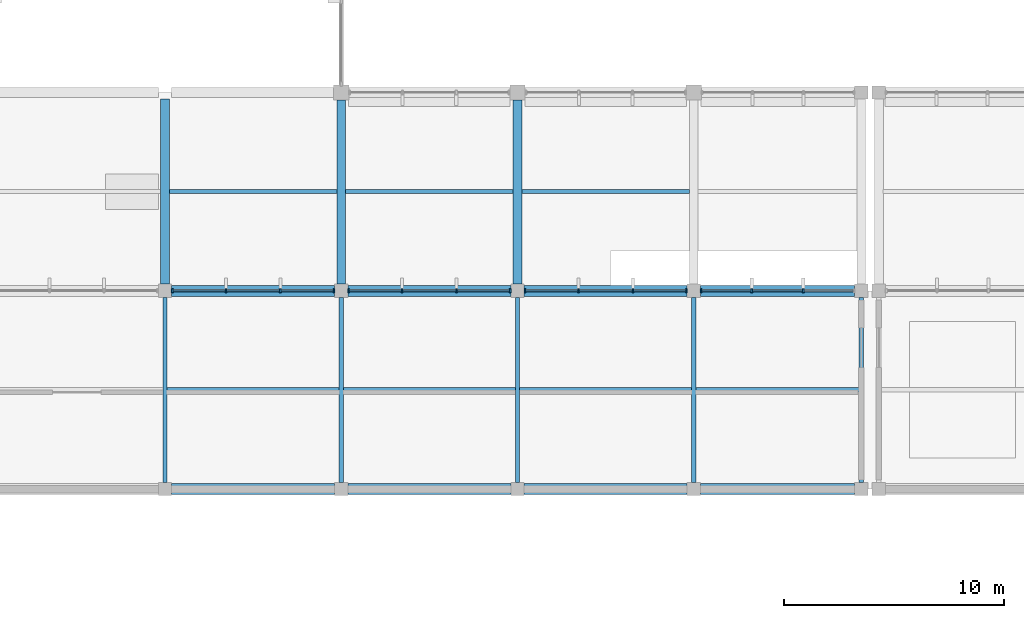
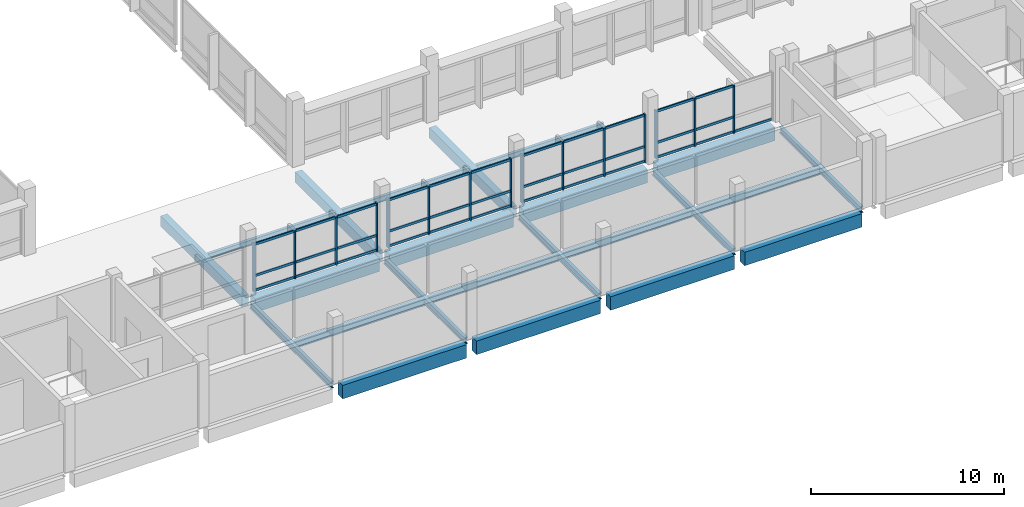
# One storey, part 12 of 70: 49 members, 23 beams, 4 elements without a shape of their own.
"""IFC4 building model written with IfcOpenShell, lengths in metres."""

from ifc_helpers import new_model, si_unit, direction, frame, origin, origin_2d, place, context, subcontext, project, spatial, rectangle, i_section, extrude, material, material_profile, profile_set, type_object, element, aggregate, save


model = new_model("IFC4")

# Units and contexts
model_context = context("Model", 3, precision=1e-05, world=origin(), true_north=direction((0.0, 1.0)))
body_context = subcontext(model_context, "Body", "Model", "MODEL_VIEW")
ifc_project = project(units=[si_unit("LENGTHUNIT", "METRE"), si_unit("AREAUNIT", "SQUARE_METRE"), si_unit("VOLUMEUNIT", "CUBIC_METRE"), si_unit("PLANEANGLEUNIT", "RADIAN"), si_unit("MASSUNIT", "GRAM", prefix="KILO"), si_unit("THERMODYNAMICTEMPERATUREUNIT", "KELVIN"), si_unit("POWERUNIT", "WATT")], contexts=[model_context])

# Site, building, storey
site_placement = place(None, origin())
site = spatial("IfcSite", under=ifc_project, at=site_placement, CompositionType="ELEMENT")
building_placement = place(site_placement, origin())
building = spatial("IfcBuilding", under=site, at=building_placement, Name="Kronsvod Quay Wholesale Market", CompositionType="ELEMENT")
storey_placement = place(building_placement, frame((0.0, 0.0, 9.0)))
storey = spatial("IfcBuildingStorey", under=building, at=storey_placement, Name="L02", CompositionType="ELEMENT", Elevation=9.0)

# Beams
ifc_material_1 = material(Name="Precast concrete C40/50", Category="concrete")
ifc_material_profile_1 = material_profile(ifc_material_1, rectangle(XDim=0.39990234375, YDim=0.64990234375, at=origin_2d()), Name="PCB400x650")
ifc_profile_set_1 = profile_set([ifc_material_profile_1], Name="Precast concrete C40/50")
beam_type_1 = type_object("IfcBeamType", Name="Beam_PCB400x650", PredefinedType="BEAM", material=ifc_profile_set_1)
beam_1_placement = place(storey_placement, frame((96.0, 45.300048828125, -0.635009765625), z_axis=(0.0, 1.0, 0.0), x_axis=(-1.0, 0.0, 0.0)))
element("IfcBeam", 1, at=beam_1_placement, inside=storey, type_object=beam_type_1, Name="BMY-L02-960-450", PredefinedType="BEAM", context=body_context, shape_type="SweptSolid", body=[
    extrude(rectangle(XDim=0.39990234375, YDim=0.64990234375, at=origin_2d()), origin(), (0.0, 0.0, 1.0), 8.39990234375),
])
for number, where, z_axis, x_axis, name in (
    (2, (104.0, 45.300048828125, -0.635009765625), (0.0, 1.0, 0.0), (-1.0, 0.0, 0.0), "BMY-L02-1040-450"),
    (3, (112.0, 45.300048828125, -0.635009765625), (0.0, 1.0, 0.0), (-1.0, 0.0, 0.0), "BMY-L02-1120-450"),
):
    element("IfcBeam", number, at=place(storey_placement, frame(where, z_axis=z_axis, x_axis=x_axis)), inside=storey, type_object=beam_type_1, Name=name, PredefinedType="BEAM", context=body_context, shape_type="SweptSolid", body=[
        extrude(rectangle(XDim=0.39990234375, YDim=0.64990234375, at=origin_2d()), origin(), (0.0, 0.0, 1.0), 8.349853515625),
    ])
ifc_material_2 = material(Name="Steel S355", Category="steel")
ifc_material_profile_2 = material_profile(ifc_material_2, i_section(OverallWidth=0.199951171875, OverallDepth=0.39990234375, WebThickness=0.008056640625, FlangeThickness=0.012939453125, FilletRadius=0.01611328125, at=origin_2d()), Name="40B2")
ifc_profile_set_2 = profile_set([ifc_material_profile_2], Name="Steel S355")
beam_type_2 = type_object("IfcBeamType", Name="Beam_Steel40B2", PredefinedType="BEAM", material=ifc_profile_set_2)
for number, where, z_axis, x_axis, name in (
    (4, (96.0, 36.300048828125, -0.510009765625), (0.0, 1.0, 0.0), (-1.0, 0.0, 0.0), "BMY-L02-960-360"),
    (5, (104.0, 36.300048828125, -0.510009765625), (0.0, 1.0, 0.0), (-1.0, 0.0, 0.0), "BMY-L02-1040-360"),
    (6, (112.0, 36.300048828125, -0.510009765625), (0.0, 1.0, 0.0), (-1.0, 0.0, 0.0), "BMY-L02-1120-360"),
    (7, (120.0, 36.300048828125, -0.510009765625), (0.0, 1.0, 0.0), (-1.0, 0.0, 0.0), "BMY-L02-1200-360"),
    (8, (127.60009765625, 36.300048828125, -0.510009765625), (0.0, 1.0, 0.0), (-1.0, 0.0, 0.0), "BMY-L02-1276-360"),
):
    element("IfcBeam", number, at=place(storey_placement, frame(where, z_axis=z_axis, x_axis=x_axis)), inside=storey, type_object=beam_type_2, Name=name, PredefinedType="BEAM", context=body_context, shape_type="SweptSolid", body=[
        extrude(i_section(OverallWidth=0.199951171875, OverallDepth=0.39990234375, WebThickness=0.008056640625, FlangeThickness=0.012939453125, FilletRadius=0.01611328125, at=origin_2d()), origin(), (0.0, 0.0, 1.0), 8.39990234375),
    ])
ifc_material_3 = material(Name="Steel S355", Category="steel")
ifc_material_profile_3 = material_profile(ifc_material_3, i_section(OverallWidth=0.199951171875, OverallDepth=0.449951171875, WebThickness=0.009033203125, FlangeThickness=0.013916015625, FilletRadius=0.01806640625, at=origin_2d()), Name="45B2")
ifc_profile_set_3 = profile_set([ifc_material_profile_3], Name="Steel S355")
beam_type_3 = type_object("IfcBeamType", Name="Beam_Steel45B2", PredefinedType="BEAM", material=ifc_profile_set_3)
for number, where, z_axis, x_axis, name in (
    (9, (96.094970703125, 40.5, -0.52490234375), (1.0, 0.0, 0.0), (0.0, 1.0, 0.0), "JSTX-L02-960-360"),
    (10, (104.094970703125, 40.5, -0.52490234375), (1.0, 0.0, 0.0), (0.0, 1.0, 0.0), "JSTX-L02-1040-360"),
    (11, (112.094970703125, 40.5, -0.52490234375), (1.0, 0.0, 0.0), (0.0, 1.0, 0.0), "JSTX-L02-1120-360"),
):
    element("IfcBeam", number, at=place(storey_placement, frame(where, z_axis=z_axis, x_axis=x_axis)), inside=storey, type_object=beam_type_3, Name=name, PredefinedType="BEAM", context=body_context, shape_type="SweptSolid", body=[
        extrude(i_section(OverallWidth=0.199951171875, OverallDepth=0.449951171875, WebThickness=0.009033203125, FlangeThickness=0.013916015625, FilletRadius=0.01806640625, at=origin_2d()), origin(), (0.0, 0.0, 1.0), 7.81005859375),
    ])
beam_2_placement = place(storey_placement, frame((120.094970703125, 40.5, -0.52490234375), z_axis=(1.0, 0.0, 0.0), x_axis=(0.0, 1.0, 0.0)))
element("IfcBeam", 12, at=beam_2_placement, inside=storey, type_object=beam_type_3, Name="JSTX-L02-1200-360", PredefinedType="BEAM", context=body_context, shape_type="SweptSolid", body=[
    extrude(i_section(OverallWidth=0.199951171875, OverallDepth=0.449951171875, WebThickness=0.009033203125, FlangeThickness=0.013916015625, FilletRadius=0.01806640625, at=origin_2d()), origin(), (0.0, 0.0, 1.0), 7.409912109375),
])
ifc_material_4 = material(Name="Precast concrete C40/50", Category="concrete")
ifc_material_profile_4 = material_profile(ifc_material_4, rectangle(XDim=0.5, YDim=0.85009765625, at=origin_2d()), Name="PCB500x850")
ifc_profile_set_4 = profile_set([ifc_material_profile_4], Name="Precast concrete C40/50")
beam_type_4 = type_object("IfcBeamType", Name="Girder_PCB500x850", PredefinedType="T_BEAM", material=ifc_profile_set_4)
for number, where, z_axis, x_axis, name in (
    (13, (96.300048828125, 36.0, -0.735107421875), (1.0, 0.0, 0.0), (0.0, 1.0, 0.0), "BMX-L02-960-360"),
    (14, (104.300048828125, 36.0, -0.735107421875), (1.0, 0.0, 0.0), (0.0, 1.0, 0.0), "BMX-L02-1040-360"),
    (15, (112.300048828125, 36.0, -0.735107421875), (1.0, 0.0, 0.0), (0.0, 1.0, 0.0), "BMX-L02-1120-360"),
):
    element("IfcBeam", number, at=place(storey_placement, frame(where, z_axis=z_axis, x_axis=x_axis)), inside=storey, type_object=beam_type_4, Name=name, PredefinedType="T_BEAM", context=body_context, shape_type="SweptSolid", body=[
        extrude(rectangle(XDim=0.5, YDim=0.85009765625, at=origin_2d()), origin(), (0.0, 0.0, 1.0), 7.39990234375),
    ])
beam_3_placement = place(storey_placement, frame((120.300048828125, 36.0, -0.735107421875), z_axis=(1.0, 0.0, 0.0), x_axis=(0.0, 1.0, 0.0)))
element("IfcBeam", 16, at=beam_3_placement, inside=storey, type_object=beam_type_4, Name="BMX-L02-1200-360", PredefinedType="T_BEAM", context=body_context, shape_type="SweptSolid", body=[
    extrude(rectangle(XDim=0.5, YDim=0.85009765625, at=origin_2d()), origin(), (0.0, 0.0, 1.0), 7.0),
])
for number, where, z_axis, x_axis, name in (
    (17, (96.300048828125, 45.0, -0.735107421875), (1.0, 0.0, 0.0), (0.0, 1.0, 0.0), "BMX-L02-960-450"),
    (18, (104.300048828125, 45.0, -0.735107421875), (1.0, 0.0, 0.0), (0.0, 1.0, 0.0), "BMX-L02-1040-450"),
    (19, (112.300048828125, 45.0, -0.735107421875), (1.0, 0.0, 0.0), (0.0, 1.0, 0.0), "BMX-L02-1120-450"),
):
    element("IfcBeam", number, at=place(storey_placement, frame(where, z_axis=z_axis, x_axis=x_axis)), inside=storey, type_object=beam_type_4, Name=name, PredefinedType="T_BEAM", context=body_context, shape_type="SweptSolid", body=[
        extrude(rectangle(XDim=0.5, YDim=0.85009765625, at=origin_2d()), origin(), (0.0, 0.0, 1.0), 7.39990234375),
    ])
beam_4_placement = place(storey_placement, frame((120.300048828125, 45.0, -0.735107421875), z_axis=(1.0, 0.0, 0.0), x_axis=(0.0, 1.0, 0.0)))
element("IfcBeam", 20, at=beam_4_placement, inside=storey, type_object=beam_type_4, Name="BMX-L02-1200-450", PredefinedType="T_BEAM", context=body_context, shape_type="SweptSolid", body=[
    extrude(rectangle(XDim=0.5, YDim=0.85009765625, at=origin_2d()), origin(), (0.0, 0.0, 1.0), 7.0),
])
ifc_material_5 = material(Name="Steel S355", Category="steel")
ifc_material_profile_5 = material_profile(ifc_material_5, i_section(OverallWidth=0.174072265625, OverallDepth=0.345947265625, WebThickness=0.006103515625, FlangeThickness=0.009033203125, FilletRadius=0.013916015625, at=origin_2d()), Name="35B1")
ifc_profile_set_5 = profile_set([ifc_material_profile_5], Name="Steel S355")
beam_type_5 = type_object("IfcBeamType", Name="Joist_Steel35B1", PredefinedType="JOIST", material=ifc_profile_set_5)
for number, where, z_axis, x_axis, name in (
    (21, (96.195068359375, 49.5, -0.43310546875), (1.0, 0.0, 0.0), (0.0, 1.0, 0.0), "JSTX-L02-960-450"),
    (22, (104.195068359375, 49.5, -0.43310546875), (1.0, 0.0, 0.0), (0.0, 1.0, 0.0), "JSTX-L02-1040-450"),
    (23, (112.195068359375, 49.5, -0.43310546875), (1.0, 0.0, 0.0), (0.0, 1.0, 0.0), "JSTX-L02-1120-450"),
):
    element("IfcBeam", number, at=place(storey_placement, frame(where, z_axis=z_axis, x_axis=x_axis)), inside=storey, type_object=beam_type_5, Name=name, PredefinedType="JOIST", context=body_context, shape_type="SweptSolid", body=[
        extrude(i_section(OverallWidth=0.174072265625, OverallDepth=0.345947265625, WebThickness=0.006103515625, FlangeThickness=0.009033203125, FilletRadius=0.013916015625, at=origin_2d()), origin(), (0.0, 0.0, 1.0), 7.60986328125),
    ])

# Curtain wall, members
ifc_material_6 = material(Name="Thermally broken aluminium and triple low-E glazing", Category="aluminium")
curtain_wall_type_1 = type_object("IfcCurtainWallType", Name="CW_Harbour80x33", PredefinedType="NOTDEFINED", material=ifc_material_6)
curtain_wall_1_placement = place(storey_placement, origin())
curtain_wall_1 = element("IfcCurtainWall", 24, at=curtain_wall_1_placement, inside=storey, type_object=curtain_wall_type_1, Name="CWGX-L02-960-450", PredefinedType="NOTDEFINED")
ifc_material_7 = material(Name="Anodised aluminium", Category="aluminium")
ifc_material_profile_6 = material_profile(ifc_material_7, rectangle(XDim=0.074951171875, YDim=0.199951171875, at=origin_2d()), Name="ALUM75x200")
ifc_profile_set_6 = profile_set([ifc_material_profile_6], Name="Anodised aluminium")
member_type_1 = type_object("IfcMemberType", Name="Mullion_ALU75x200", PredefinedType="MULLION", material=ifc_profile_set_6)
member_1_placement = place(storey_placement, frame((103.66748046875, 45.0, 0.0), z_axis=(0.0, 0.0, 1.0), x_axis=(1.0, 0.0, 0.0)))
member_1 = element("IfcMember", 25, at=member_1_placement, type_object=member_type_1, Name="CWGX-L02-960-450-M1", PredefinedType="MULLION", context=body_context, shape_type="SweptSolid", body=[
    extrude(rectangle(XDim=0.074951171875, YDim=0.199951171875, at=origin_2d()), origin(), (0.0, 0.0, 1.0), 3.050048828125),
])
member_2_placement = place(storey_placement, frame((101.235107421875, 45.0, 0.0), z_axis=(0.0, 0.0, 1.0), x_axis=(1.0, 0.0, 0.0)))
member_2 = element("IfcMember", 26, at=member_2_placement, type_object=member_type_1, Name="CWGX-L02-960-450-M2", PredefinedType="MULLION", context=body_context, shape_type="SweptSolid", body=[
    extrude(rectangle(XDim=0.074951171875, YDim=0.199951171875, at=origin_2d()), origin(), (0.0, 0.0, 1.0), 3.050048828125),
])
member_3_placement = place(storey_placement, frame((98.764892578125, 45.0, 0.0), z_axis=(0.0, 0.0, 1.0), x_axis=(1.0, 0.0, 0.0)))
member_3 = element("IfcMember", 27, at=member_3_placement, type_object=member_type_1, Name="CWGX-L02-960-450-M3", PredefinedType="MULLION", context=body_context, shape_type="SweptSolid", body=[
    extrude(rectangle(XDim=0.074951171875, YDim=0.199951171875, at=origin_2d()), origin(), (0.0, 0.0, 1.0), 3.050048828125),
])
member_4_placement = place(storey_placement, frame((96.33251953125, 45.0, 0.0), z_axis=(0.0, 0.0, 1.0), x_axis=(1.0, 0.0, 0.0)))
member_4 = element("IfcMember", 28, at=member_4_placement, type_object=member_type_1, Name="CWGX-L02-960-450-M4", PredefinedType="MULLION", context=body_context, shape_type="SweptSolid", body=[
    extrude(rectangle(XDim=0.074951171875, YDim=0.199951171875, at=origin_2d()), origin(), (0.0, 0.0, 1.0), 3.050048828125),
])

curtain_wall_2_placement = place(storey_placement, origin())
curtain_wall_2 = element("IfcCurtainWall", 29, at=curtain_wall_2_placement, inside=storey, type_object=curtain_wall_type_1, Name="CWGX-L02-1040-450", PredefinedType="NOTDEFINED")
member_5_placement = place(storey_placement, frame((111.66748046875, 45.0, 0.0), z_axis=(0.0, 0.0, 1.0), x_axis=(1.0, 0.0, 0.0)))
member_5 = element("IfcMember", 30, at=member_5_placement, type_object=member_type_1, Name="CWGX-L02-1040-450-M1", PredefinedType="MULLION", context=body_context, shape_type="SweptSolid", body=[
    extrude(rectangle(XDim=0.074951171875, YDim=0.199951171875, at=origin_2d()), origin(), (0.0, 0.0, 1.0), 3.050048828125),
])
member_6_placement = place(storey_placement, frame((109.235107421875, 45.0, 0.0), z_axis=(0.0, 0.0, 1.0), x_axis=(1.0, 0.0, 0.0)))
member_6 = element("IfcMember", 31, at=member_6_placement, type_object=member_type_1, Name="CWGX-L02-1040-450-M2", PredefinedType="MULLION", context=body_context, shape_type="SweptSolid", body=[
    extrude(rectangle(XDim=0.074951171875, YDim=0.199951171875, at=origin_2d()), origin(), (0.0, 0.0, 1.0), 3.050048828125),
])
member_7_placement = place(storey_placement, frame((106.764892578125, 45.0, 0.0), z_axis=(0.0, 0.0, 1.0), x_axis=(1.0, 0.0, 0.0)))
member_7 = element("IfcMember", 32, at=member_7_placement, type_object=member_type_1, Name="CWGX-L02-1040-450-M3", PredefinedType="MULLION", context=body_context, shape_type="SweptSolid", body=[
    extrude(rectangle(XDim=0.074951171875, YDim=0.199951171875, at=origin_2d()), origin(), (0.0, 0.0, 1.0), 3.050048828125),
])
member_8_placement = place(storey_placement, frame((104.33251953125, 45.0, 0.0), z_axis=(0.0, 0.0, 1.0), x_axis=(1.0, 0.0, 0.0)))
member_8 = element("IfcMember", 33, at=member_8_placement, type_object=member_type_1, Name="CWGX-L02-1040-450-M4", PredefinedType="MULLION", context=body_context, shape_type="SweptSolid", body=[
    extrude(rectangle(XDim=0.074951171875, YDim=0.199951171875, at=origin_2d()), origin(), (0.0, 0.0, 1.0), 3.050048828125),
])

curtain_wall_3_placement = place(storey_placement, origin())
curtain_wall_3 = element("IfcCurtainWall", 34, at=curtain_wall_3_placement, inside=storey, type_object=curtain_wall_type_1, Name="CWGX-L02-1120-450", PredefinedType="NOTDEFINED")
member_9_placement = place(storey_placement, frame((119.66748046875, 45.0, 0.0), z_axis=(0.0, 0.0, 1.0), x_axis=(1.0, 0.0, 0.0)))
member_9 = element("IfcMember", 35, at=member_9_placement, type_object=member_type_1, Name="CWGX-L02-1120-450-M1", PredefinedType="MULLION", context=body_context, shape_type="SweptSolid", body=[
    extrude(rectangle(XDim=0.074951171875, YDim=0.199951171875, at=origin_2d()), origin(), (0.0, 0.0, 1.0), 3.050048828125),
])
member_10_placement = place(storey_placement, frame((117.235107421875, 45.0, 0.0), z_axis=(0.0, 0.0, 1.0), x_axis=(1.0, 0.0, 0.0)))
member_10 = element("IfcMember", 36, at=member_10_placement, type_object=member_type_1, Name="CWGX-L02-1120-450-M2", PredefinedType="MULLION", context=body_context, shape_type="SweptSolid", body=[
    extrude(rectangle(XDim=0.074951171875, YDim=0.199951171875, at=origin_2d()), origin(), (0.0, 0.0, 1.0), 3.050048828125),
])
member_11_placement = place(storey_placement, frame((114.764892578125, 45.0, 0.0), z_axis=(0.0, 0.0, 1.0), x_axis=(1.0, 0.0, 0.0)))
member_11 = element("IfcMember", 37, at=member_11_placement, type_object=member_type_1, Name="CWGX-L02-1120-450-M3", PredefinedType="MULLION", context=body_context, shape_type="SweptSolid", body=[
    extrude(rectangle(XDim=0.074951171875, YDim=0.199951171875, at=origin_2d()), origin(), (0.0, 0.0, 1.0), 3.050048828125),
])
member_12_placement = place(storey_placement, frame((112.33251953125, 45.0, 0.0), z_axis=(0.0, 0.0, 1.0), x_axis=(1.0, 0.0, 0.0)))
member_12 = element("IfcMember", 38, at=member_12_placement, type_object=member_type_1, Name="CWGX-L02-1120-450-M4", PredefinedType="MULLION", context=body_context, shape_type="SweptSolid", body=[
    extrude(rectangle(XDim=0.074951171875, YDim=0.199951171875, at=origin_2d()), origin(), (0.0, 0.0, 1.0), 3.050048828125),
])

ifc_material_8 = material(Name="Thermally broken aluminium and triple low-E glazing", Category="aluminium")
curtain_wall_type_2 = type_object("IfcCurtainWallType", Name="CW_Harbour76x33", PredefinedType="NOTDEFINED", material=ifc_material_8)
curtain_wall_4_placement = place(storey_placement, origin())
curtain_wall_4 = element("IfcCurtainWall", 39, at=curtain_wall_4_placement, inside=storey, type_object=curtain_wall_type_2, Name="CWGX-L02-1200-450", PredefinedType="NOTDEFINED")
member_13_placement = place(storey_placement, frame((124.96826171875, 45.0, 0.0), z_axis=(0.0, 0.0, 1.0), x_axis=(1.0, 0.0, 0.0)))
member_13 = element("IfcMember", 40, at=member_13_placement, type_object=member_type_1, Name="CWGX-L02-1200-450-M2", PredefinedType="MULLION", context=body_context, shape_type="SweptSolid", body=[
    extrude(rectangle(XDim=0.074951171875, YDim=0.199951171875, at=origin_2d()), origin(), (0.0, 0.0, 1.0), 3.050048828125),
])
member_14_placement = place(storey_placement, frame((122.631591796875, 45.0, 0.0), z_axis=(0.0, 0.0, 1.0), x_axis=(1.0, 0.0, 0.0)))
member_14 = element("IfcMember", 41, at=member_14_placement, type_object=member_type_1, Name="CWGX-L02-1200-450-M3", PredefinedType="MULLION", context=body_context, shape_type="SweptSolid", body=[
    extrude(rectangle(XDim=0.074951171875, YDim=0.199951171875, at=origin_2d()), origin(), (0.0, 0.0, 1.0), 3.050048828125),
])
member_15_placement = place(storey_placement, frame((120.33251953125, 45.0, 0.0), z_axis=(0.0, 0.0, 1.0), x_axis=(1.0, 0.0, 0.0)))
member_15 = element("IfcMember", 42, at=member_15_placement, type_object=member_type_1, Name="CWGX-L02-1200-450-M4", PredefinedType="MULLION", context=body_context, shape_type="SweptSolid", body=[
    extrude(rectangle(XDim=0.074951171875, YDim=0.199951171875, at=origin_2d()), origin(), (0.0, 0.0, 1.0), 3.050048828125),
])

# Member
ifc_material_9 = material(Name="Anodised aluminium", Category="aluminium")
ifc_material_profile_7 = material_profile(ifc_material_9, rectangle(XDim=0.074951171875, YDim=0.14990234375, at=origin_2d()), Name="ALUT75x150")
ifc_profile_set_7 = profile_set([ifc_material_profile_7], Name="Anodised aluminium")
member_type_2 = type_object("IfcMemberType", Name="Transom_ALU75x150", PredefinedType="USERDEFINED", material=ifc_profile_set_7)
member_16_placement = place(storey_placement, frame((103.6298828125, 45.0, 0.074951171875), z_axis=(-1.0, 0.0, 0.0), x_axis=(0.0, -1.0, 0.0)))
member_16 = element("IfcMember", 43, at=member_16_placement, type_object=member_type_2, Name="CWGX-L02-960-450-T1B1", ObjectType="TRANSOM", PredefinedType="USERDEFINED", context=body_context, shape_type="SweptSolid", body=[
    extrude(rectangle(XDim=0.074951171875, YDim=0.14990234375, at=origin_2d()), origin(), (0.0, 0.0, 1.0), 2.357421875),
])

member_17_placement = place(storey_placement, frame((101.197509765625, 45.0, 0.074951171875), z_axis=(-1.0, 0.0, 0.0), x_axis=(0.0, -1.0, 0.0)))
member_17 = element("IfcMember", 44, at=member_17_placement, type_object=member_type_2, Name="CWGX-L02-960-450-T1B2", ObjectType="TRANSOM", PredefinedType="USERDEFINED", context=body_context, shape_type="SweptSolid", body=[
    extrude(rectangle(XDim=0.074951171875, YDim=0.14990234375, at=origin_2d()), origin(), (0.0, 0.0, 1.0), 2.39501953125),
])

member_18_placement = place(storey_placement, frame((98.7275390625, 45.0, 0.074951171875), z_axis=(-1.0, 0.0, 0.0), x_axis=(0.0, -1.0, 0.0)))
member_18 = element("IfcMember", 45, at=member_18_placement, type_object=member_type_2, Name="CWGX-L02-960-450-T1B3", ObjectType="TRANSOM", PredefinedType="USERDEFINED", context=body_context, shape_type="SweptSolid", body=[
    extrude(rectangle(XDim=0.074951171875, YDim=0.14990234375, at=origin_2d()), origin(), (0.0, 0.0, 1.0), 2.357421875),
])

member_19_placement = place(storey_placement, frame((103.6298828125, 45.0, 1.0), z_axis=(-1.0, 0.0, 0.0), x_axis=(0.0, -1.0, 0.0)))
member_19 = element("IfcMember", 46, at=member_19_placement, type_object=member_type_2, Name="CWGX-L02-960-450-T2B1", ObjectType="TRANSOM", PredefinedType="USERDEFINED", context=body_context, shape_type="SweptSolid", body=[
    extrude(rectangle(XDim=0.074951171875, YDim=0.14990234375, at=origin_2d()), origin(), (0.0, 0.0, 1.0), 2.357421875),
])

member_20_placement = place(storey_placement, frame((101.197509765625, 45.0, 1.0), z_axis=(-1.0, 0.0, 0.0), x_axis=(0.0, -1.0, 0.0)))
member_20 = element("IfcMember", 47, at=member_20_placement, type_object=member_type_2, Name="CWGX-L02-960-450-T2B2", ObjectType="TRANSOM", PredefinedType="USERDEFINED", context=body_context, shape_type="SweptSolid", body=[
    extrude(rectangle(XDim=0.074951171875, YDim=0.14990234375, at=origin_2d()), origin(), (0.0, 0.0, 1.0), 2.39501953125),
])

member_21_placement = place(storey_placement, frame((98.7275390625, 45.0, 1.0), z_axis=(-1.0, 0.0, 0.0), x_axis=(0.0, -1.0, 0.0)))
member_21 = element("IfcMember", 48, at=member_21_placement, type_object=member_type_2, Name="CWGX-L02-960-450-T2B3", ObjectType="TRANSOM", PredefinedType="USERDEFINED", context=body_context, shape_type="SweptSolid", body=[
    extrude(rectangle(XDim=0.074951171875, YDim=0.14990234375, at=origin_2d()), origin(), (0.0, 0.0, 1.0), 2.357421875),
])

member_22_placement = place(storey_placement, frame((103.6298828125, 45.0, 2.97509765625), z_axis=(-1.0, 0.0, 0.0), x_axis=(0.0, -1.0, 0.0)))
member_22 = element("IfcMember", 49, at=member_22_placement, type_object=member_type_2, Name="CWGX-L02-960-450-T3B1", ObjectType="TRANSOM", PredefinedType="USERDEFINED", context=body_context, shape_type="SweptSolid", body=[
    extrude(rectangle(XDim=0.074951171875, YDim=0.14990234375, at=origin_2d()), origin(), (0.0, 0.0, 1.0), 2.357421875),
])

member_23_placement = place(storey_placement, frame((101.197509765625, 45.0, 2.97509765625), z_axis=(-1.0, 0.0, 0.0), x_axis=(0.0, -1.0, 0.0)))
member_23 = element("IfcMember", 50, at=member_23_placement, type_object=member_type_2, Name="CWGX-L02-960-450-T3B2", ObjectType="TRANSOM", PredefinedType="USERDEFINED", context=body_context, shape_type="SweptSolid", body=[
    extrude(rectangle(XDim=0.074951171875, YDim=0.14990234375, at=origin_2d()), origin(), (0.0, 0.0, 1.0), 2.39501953125),
])

member_24_placement = place(storey_placement, frame((98.7275390625, 45.0, 2.97509765625), z_axis=(-1.0, 0.0, 0.0), x_axis=(0.0, -1.0, 0.0)))
member_24 = element("IfcMember", 51, at=member_24_placement, type_object=member_type_2, Name="CWGX-L02-960-450-T3B3", ObjectType="TRANSOM", PredefinedType="USERDEFINED", context=body_context, shape_type="SweptSolid", body=[
    extrude(rectangle(XDim=0.074951171875, YDim=0.14990234375, at=origin_2d()), origin(), (0.0, 0.0, 1.0), 2.357421875),
])

aggregate(curtain_wall_1, [member_1, member_2, member_3, member_4, member_16, member_17, member_18, member_19, member_20, member_21, member_22, member_23, member_24])

member_25_placement = place(storey_placement, frame((111.6298828125, 45.0, 0.074951171875), z_axis=(-1.0, 0.0, 0.0), x_axis=(0.0, -1.0, 0.0)))
member_25 = element("IfcMember", 52, at=member_25_placement, type_object=member_type_2, Name="CWGX-L02-1040-450-T1B1", ObjectType="TRANSOM", PredefinedType="USERDEFINED", context=body_context, shape_type="SweptSolid", body=[
    extrude(rectangle(XDim=0.074951171875, YDim=0.14990234375, at=origin_2d()), origin(), (0.0, 0.0, 1.0), 2.357421875),
])

member_26_placement = place(storey_placement, frame((109.197509765625, 45.0, 0.074951171875), z_axis=(-1.0, 0.0, 0.0), x_axis=(0.0, -1.0, 0.0)))
member_26 = element("IfcMember", 53, at=member_26_placement, type_object=member_type_2, Name="CWGX-L02-1040-450-T1B2", ObjectType="TRANSOM", PredefinedType="USERDEFINED", context=body_context, shape_type="SweptSolid", body=[
    extrude(rectangle(XDim=0.074951171875, YDim=0.14990234375, at=origin_2d()), origin(), (0.0, 0.0, 1.0), 2.39501953125),
])

member_27_placement = place(storey_placement, frame((106.7275390625, 45.0, 0.074951171875), z_axis=(-1.0, 0.0, 0.0), x_axis=(0.0, -1.0, 0.0)))
member_27 = element("IfcMember", 54, at=member_27_placement, type_object=member_type_2, Name="CWGX-L02-1040-450-T1B3", ObjectType="TRANSOM", PredefinedType="USERDEFINED", context=body_context, shape_type="SweptSolid", body=[
    extrude(rectangle(XDim=0.074951171875, YDim=0.14990234375, at=origin_2d()), origin(), (0.0, 0.0, 1.0), 2.357421875),
])

member_28_placement = place(storey_placement, frame((111.6298828125, 45.0, 1.0), z_axis=(-1.0, 0.0, 0.0), x_axis=(0.0, -1.0, 0.0)))
member_28 = element("IfcMember", 55, at=member_28_placement, type_object=member_type_2, Name="CWGX-L02-1040-450-T2B1", ObjectType="TRANSOM", PredefinedType="USERDEFINED", context=body_context, shape_type="SweptSolid", body=[
    extrude(rectangle(XDim=0.074951171875, YDim=0.14990234375, at=origin_2d()), origin(), (0.0, 0.0, 1.0), 2.357421875),
])

member_29_placement = place(storey_placement, frame((109.197509765625, 45.0, 1.0), z_axis=(-1.0, 0.0, 0.0), x_axis=(0.0, -1.0, 0.0)))
member_29 = element("IfcMember", 56, at=member_29_placement, type_object=member_type_2, Name="CWGX-L02-1040-450-T2B2", ObjectType="TRANSOM", PredefinedType="USERDEFINED", context=body_context, shape_type="SweptSolid", body=[
    extrude(rectangle(XDim=0.074951171875, YDim=0.14990234375, at=origin_2d()), origin(), (0.0, 0.0, 1.0), 2.39501953125),
])

member_30_placement = place(storey_placement, frame((106.7275390625, 45.0, 1.0), z_axis=(-1.0, 0.0, 0.0), x_axis=(0.0, -1.0, 0.0)))
member_30 = element("IfcMember", 57, at=member_30_placement, type_object=member_type_2, Name="CWGX-L02-1040-450-T2B3", ObjectType="TRANSOM", PredefinedType="USERDEFINED", context=body_context, shape_type="SweptSolid", body=[
    extrude(rectangle(XDim=0.074951171875, YDim=0.14990234375, at=origin_2d()), origin(), (0.0, 0.0, 1.0), 2.357421875),
])

member_31_placement = place(storey_placement, frame((111.6298828125, 45.0, 2.97509765625), z_axis=(-1.0, 0.0, 0.0), x_axis=(0.0, -1.0, 0.0)))
member_31 = element("IfcMember", 58, at=member_31_placement, type_object=member_type_2, Name="CWGX-L02-1040-450-T3B1", ObjectType="TRANSOM", PredefinedType="USERDEFINED", context=body_context, shape_type="SweptSolid", body=[
    extrude(rectangle(XDim=0.074951171875, YDim=0.14990234375, at=origin_2d()), origin(), (0.0, 0.0, 1.0), 2.357421875),
])

member_32_placement = place(storey_placement, frame((109.197509765625, 45.0, 2.97509765625), z_axis=(-1.0, 0.0, 0.0), x_axis=(0.0, -1.0, 0.0)))
member_32 = element("IfcMember", 59, at=member_32_placement, type_object=member_type_2, Name="CWGX-L02-1040-450-T3B2", ObjectType="TRANSOM", PredefinedType="USERDEFINED", context=body_context, shape_type="SweptSolid", body=[
    extrude(rectangle(XDim=0.074951171875, YDim=0.14990234375, at=origin_2d()), origin(), (0.0, 0.0, 1.0), 2.39501953125),
])

member_33_placement = place(storey_placement, frame((106.7275390625, 45.0, 2.97509765625), z_axis=(-1.0, 0.0, 0.0), x_axis=(0.0, -1.0, 0.0)))
member_33 = element("IfcMember", 60, at=member_33_placement, type_object=member_type_2, Name="CWGX-L02-1040-450-T3B3", ObjectType="TRANSOM", PredefinedType="USERDEFINED", context=body_context, shape_type="SweptSolid", body=[
    extrude(rectangle(XDim=0.074951171875, YDim=0.14990234375, at=origin_2d()), origin(), (0.0, 0.0, 1.0), 2.357421875),
])

aggregate(curtain_wall_2, [member_5, member_6, member_7, member_8, member_25, member_26, member_27, member_28, member_29, member_30, member_31, member_32, member_33])

member_34_placement = place(storey_placement, frame((119.6298828125, 45.0, 0.074951171875), z_axis=(-1.0, 0.0, 0.0), x_axis=(0.0, -1.0, 0.0)))
member_34 = element("IfcMember", 61, at=member_34_placement, type_object=member_type_2, Name="CWGX-L02-1120-450-T1B1", ObjectType="TRANSOM", PredefinedType="USERDEFINED", context=body_context, shape_type="SweptSolid", body=[
    extrude(rectangle(XDim=0.074951171875, YDim=0.14990234375, at=origin_2d()), origin(), (0.0, 0.0, 1.0), 2.357421875),
])

member_35_placement = place(storey_placement, frame((117.197509765625, 45.0, 0.074951171875), z_axis=(-1.0, 0.0, 0.0), x_axis=(0.0, -1.0, 0.0)))
member_35 = element("IfcMember", 62, at=member_35_placement, type_object=member_type_2, Name="CWGX-L02-1120-450-T1B2", ObjectType="TRANSOM", PredefinedType="USERDEFINED", context=body_context, shape_type="SweptSolid", body=[
    extrude(rectangle(XDim=0.074951171875, YDim=0.14990234375, at=origin_2d()), origin(), (0.0, 0.0, 1.0), 2.39501953125),
])

member_36_placement = place(storey_placement, frame((114.7275390625, 45.0, 0.074951171875), z_axis=(-1.0, 0.0, 0.0), x_axis=(0.0, -1.0, 0.0)))
member_36 = element("IfcMember", 63, at=member_36_placement, type_object=member_type_2, Name="CWGX-L02-1120-450-T1B3", ObjectType="TRANSOM", PredefinedType="USERDEFINED", context=body_context, shape_type="SweptSolid", body=[
    extrude(rectangle(XDim=0.074951171875, YDim=0.14990234375, at=origin_2d()), origin(), (0.0, 0.0, 1.0), 2.357421875),
])

member_37_placement = place(storey_placement, frame((119.6298828125, 45.0, 1.0), z_axis=(-1.0, 0.0, 0.0), x_axis=(0.0, -1.0, 0.0)))
member_37 = element("IfcMember", 64, at=member_37_placement, type_object=member_type_2, Name="CWGX-L02-1120-450-T2B1", ObjectType="TRANSOM", PredefinedType="USERDEFINED", context=body_context, shape_type="SweptSolid", body=[
    extrude(rectangle(XDim=0.074951171875, YDim=0.14990234375, at=origin_2d()), origin(), (0.0, 0.0, 1.0), 2.357421875),
])

member_38_placement = place(storey_placement, frame((117.197509765625, 45.0, 1.0), z_axis=(-1.0, 0.0, 0.0), x_axis=(0.0, -1.0, 0.0)))
member_38 = element("IfcMember", 65, at=member_38_placement, type_object=member_type_2, Name="CWGX-L02-1120-450-T2B2", ObjectType="TRANSOM", PredefinedType="USERDEFINED", context=body_context, shape_type="SweptSolid", body=[
    extrude(rectangle(XDim=0.074951171875, YDim=0.14990234375, at=origin_2d()), origin(), (0.0, 0.0, 1.0), 2.39501953125),
])

member_39_placement = place(storey_placement, frame((114.7275390625, 45.0, 1.0), z_axis=(-1.0, 0.0, 0.0), x_axis=(0.0, -1.0, 0.0)))
member_39 = element("IfcMember", 66, at=member_39_placement, type_object=member_type_2, Name="CWGX-L02-1120-450-T2B3", ObjectType="TRANSOM", PredefinedType="USERDEFINED", context=body_context, shape_type="SweptSolid", body=[
    extrude(rectangle(XDim=0.074951171875, YDim=0.14990234375, at=origin_2d()), origin(), (0.0, 0.0, 1.0), 2.357421875),
])

member_40_placement = place(storey_placement, frame((119.6298828125, 45.0, 2.97509765625), z_axis=(-1.0, 0.0, 0.0), x_axis=(0.0, -1.0, 0.0)))
member_40 = element("IfcMember", 67, at=member_40_placement, type_object=member_type_2, Name="CWGX-L02-1120-450-T3B1", ObjectType="TRANSOM", PredefinedType="USERDEFINED", context=body_context, shape_type="SweptSolid", body=[
    extrude(rectangle(XDim=0.074951171875, YDim=0.14990234375, at=origin_2d()), origin(), (0.0, 0.0, 1.0), 2.357421875),
])

member_41_placement = place(storey_placement, frame((117.197509765625, 45.0, 2.97509765625), z_axis=(-1.0, 0.0, 0.0), x_axis=(0.0, -1.0, 0.0)))
member_41 = element("IfcMember", 68, at=member_41_placement, type_object=member_type_2, Name="CWGX-L02-1120-450-T3B2", ObjectType="TRANSOM", PredefinedType="USERDEFINED", context=body_context, shape_type="SweptSolid", body=[
    extrude(rectangle(XDim=0.074951171875, YDim=0.14990234375, at=origin_2d()), origin(), (0.0, 0.0, 1.0), 2.39501953125),
])

member_42_placement = place(storey_placement, frame((114.7275390625, 45.0, 2.97509765625), z_axis=(-1.0, 0.0, 0.0), x_axis=(0.0, -1.0, 0.0)))
member_42 = element("IfcMember", 69, at=member_42_placement, type_object=member_type_2, Name="CWGX-L02-1120-450-T3B3", ObjectType="TRANSOM", PredefinedType="USERDEFINED", context=body_context, shape_type="SweptSolid", body=[
    extrude(rectangle(XDim=0.074951171875, YDim=0.14990234375, at=origin_2d()), origin(), (0.0, 0.0, 1.0), 2.357421875),
])

aggregate(curtain_wall_3, [member_9, member_10, member_11, member_12, member_34, member_35, member_36, member_37, member_38, member_39, member_40, member_41, member_42])

member_43_placement = place(storey_placement, frame((127.22998046875, 45.0, 0.074951171875), z_axis=(-1.0, 0.0, 0.0), x_axis=(0.0, -1.0, 0.0)))
member_43 = element("IfcMember", 70, at=member_43_placement, type_object=member_type_2, Name="CWGX-L02-1200-450-T1B1", ObjectType="TRANSOM", PredefinedType="USERDEFINED", context=body_context, shape_type="SweptSolid", body=[
    extrude(rectangle(XDim=0.074951171875, YDim=0.14990234375, at=origin_2d()), origin(), (0.0, 0.0, 1.0), 2.22412109375),
])

member_44_placement = place(storey_placement, frame((124.930908203125, 45.0, 0.074951171875), z_axis=(-1.0, 0.0, 0.0), x_axis=(0.0, -1.0, 0.0)))
member_44 = element("IfcMember", 71, at=member_44_placement, type_object=member_type_2, Name="CWGX-L02-1200-450-T1B2", ObjectType="TRANSOM", PredefinedType="USERDEFINED", context=body_context, shape_type="SweptSolid", body=[
    extrude(rectangle(XDim=0.074951171875, YDim=0.14990234375, at=origin_2d()), origin(), (0.0, 0.0, 1.0), 2.26171875),
])

member_45_placement = place(storey_placement, frame((122.59423828125, 45.0, 0.074951171875), z_axis=(-1.0, 0.0, 0.0), x_axis=(0.0, -1.0, 0.0)))
member_45 = element("IfcMember", 72, at=member_45_placement, type_object=member_type_2, Name="CWGX-L02-1200-450-T1B3", ObjectType="TRANSOM", PredefinedType="USERDEFINED", context=body_context, shape_type="SweptSolid", body=[
    extrude(rectangle(XDim=0.074951171875, YDim=0.14990234375, at=origin_2d()), origin(), (0.0, 0.0, 1.0), 2.22412109375),
])

member_46_placement = place(storey_placement, frame((124.930908203125, 45.0, 1.0), z_axis=(-1.0, 0.0, 0.0), x_axis=(0.0, -1.0, 0.0)))
member_46 = element("IfcMember", 73, at=member_46_placement, type_object=member_type_2, Name="CWGX-L02-1200-450-T2B2", ObjectType="TRANSOM", PredefinedType="USERDEFINED", context=body_context, shape_type="SweptSolid", body=[
    extrude(rectangle(XDim=0.074951171875, YDim=0.14990234375, at=origin_2d()), origin(), (0.0, 0.0, 1.0), 2.26171875),
])

member_47_placement = place(storey_placement, frame((122.59423828125, 45.0, 1.0), z_axis=(-1.0, 0.0, 0.0), x_axis=(0.0, -1.0, 0.0)))
member_47 = element("IfcMember", 74, at=member_47_placement, type_object=member_type_2, Name="CWGX-L02-1200-450-T2B3", ObjectType="TRANSOM", PredefinedType="USERDEFINED", context=body_context, shape_type="SweptSolid", body=[
    extrude(rectangle(XDim=0.074951171875, YDim=0.14990234375, at=origin_2d()), origin(), (0.0, 0.0, 1.0), 2.22412109375),
])

member_48_placement = place(storey_placement, frame((124.930908203125, 45.0, 2.97509765625), z_axis=(-1.0, 0.0, 0.0), x_axis=(0.0, -1.0, 0.0)))
member_48 = element("IfcMember", 75, at=member_48_placement, type_object=member_type_2, Name="CWGX-L02-1200-450-T3B2", ObjectType="TRANSOM", PredefinedType="USERDEFINED", context=body_context, shape_type="SweptSolid", body=[
    extrude(rectangle(XDim=0.074951171875, YDim=0.14990234375, at=origin_2d()), origin(), (0.0, 0.0, 1.0), 2.26171875),
])

member_49_placement = place(storey_placement, frame((122.59423828125, 45.0, 2.97509765625), z_axis=(-1.0, 0.0, 0.0), x_axis=(0.0, -1.0, 0.0)))
member_49 = element("IfcMember", 76, at=member_49_placement, type_object=member_type_2, Name="CWGX-L02-1200-450-T3B3", ObjectType="TRANSOM", PredefinedType="USERDEFINED", context=body_context, shape_type="SweptSolid", body=[
    extrude(rectangle(XDim=0.074951171875, YDim=0.14990234375, at=origin_2d()), origin(), (0.0, 0.0, 1.0), 2.22412109375),
])

aggregate(curtain_wall_4, [member_13, member_14, member_15, member_43, member_44, member_45, member_46, member_47, member_48, member_49])

save(model, "model.ifc")
